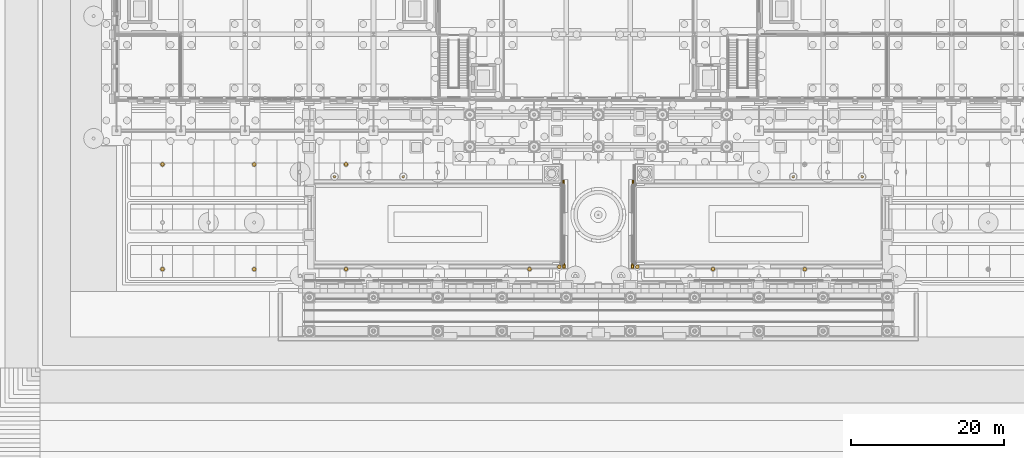
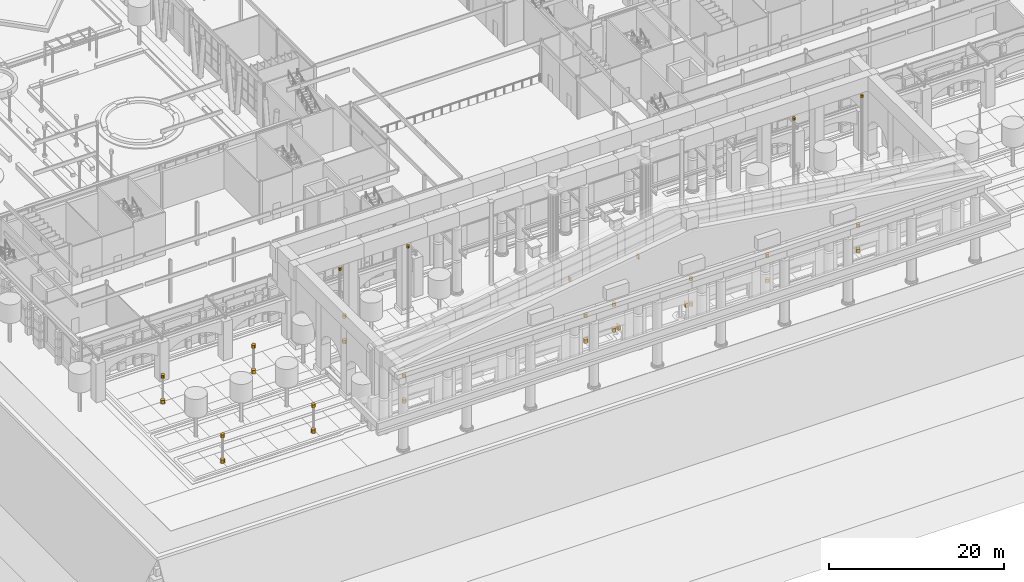
# One storey, part 206 of 222: 30 coverings.
"""IFC4 building model written with IfcOpenShell, lengths in metres."""

from ifc_helpers import new_model, si_unit, direction, frame, origin, origin_2d, place, context, subcontext, project, spatial, polyline, circle, outline, extrude, material, layer, layer_set, type_object, element, save


model = new_model("IFC4")

# Units and contexts
model_context = context("Model", 3, precision=1e-05, world=origin(), true_north=direction((0.0, 1.0)))
body_context = subcontext(model_context, "Body", "Model", "MODEL_VIEW")
ifc_project = project(units=[si_unit("LENGTHUNIT", "METRE"), si_unit("AREAUNIT", "SQUARE_METRE"), si_unit("VOLUMEUNIT", "CUBIC_METRE"), si_unit("PLANEANGLEUNIT", "RADIAN"), si_unit("MASSUNIT", "GRAM", prefix="KILO")], contexts=[model_context])

# Site, building, storey
site_placement = place(None, origin())
site = spatial("IfcSite", under=ifc_project, at=site_placement, CompositionType="ELEMENT")
building_placement = place(site_placement, origin())
building = spatial("IfcBuilding", under=site, at=building_placement, Name="Sava Quay Ferry Terminal", CompositionType="ELEMENT")
storey_placement = place(building_placement, origin())
storey = spatial("IfcBuildingStorey", under=building, at=storey_placement, Name="L00", CompositionType="ELEMENT", Elevation=0.0)

# Coverings
ifc_material_1 = material(Name="Bronze")
ifc_layer_1 = layer(ifc_material_1, 0.35009765625)
ifc_layer_set_1 = layer_set([ifc_layer_1], Name="Bronze")
covering_type_1 = type_object("IfcCoveringType", Name="Flagstaff finial 350", PredefinedType="MOLDING", material=ifc_layer_set_1)
for number, where, z_axis, x_axis, name in (
    (1, (28.5, 15.0, 12.0), (0.0, 0.0, -1.0), (1.0, 0.0, 0.0), "Flagstaff finial"),
    (2, (37.5, 15.0, 12.0), (0.0, 0.0, -1.0), (1.0, 0.0, 0.0), "Flagstaff finial"),
    (3, (88.5, 15.0, 12.0), (0.0, 0.0, -1.0), (1.0, 0.0, 0.0), "Flagstaff finial"),
    (4, (97.5, 15.0, 12.0), (0.0, 0.0, -1.0), (1.0, 0.0, 0.0), "Flagstaff finial"),
):
    element("IfcCovering", number, at=place(storey_placement, frame(where, z_axis=z_axis, x_axis=x_axis)), inside=storey, type_object=covering_type_1, Name=name, PredefinedType="MOLDING", context=body_context, shape_type="SweptSolid", body=[
        extrude(circle(Radius=0.175048828125, at=origin_2d()), origin(), (0.0, 0.0, 1.0), 0.35009765625),
    ])
ifc_material_2 = material(Name="Glass lantern", Category="glass")
ifc_layer_2 = layer(ifc_material_2, 0.449951171875)
ifc_layer_set_2 = layer_set([ifc_layer_2], Name="Glass lantern")
covering_type_2 = type_object("IfcCoveringType", Name="Lamp lantern 450", PredefinedType="CLADDING", material=ifc_layer_set_2)
for number, where, z_axis, x_axis, name in (
    (5, (57.89990234375, 3.199951171875, 4.0), (0.0, 0.0, -1.0), (1.0, 0.0, 0.0), "Lamp lantern"),
    (6, (68.10009765625, 3.199951171875, 4.0), (0.0, 0.0, -1.0), (1.0, 0.0, 0.0), "Lamp lantern"),
    (7, (6.0, 2.89990234375, 4.0), (0.0, 0.0, -1.0), (1.0, 0.0, 0.0), "Lamp lantern"),
    (8, (18.0, 2.89990234375, 4.0), (0.0, 0.0, -1.0), (1.0, 0.0, 0.0), "Lamp lantern"),
    (9, (30.0, 2.89990234375, 4.0), (0.0, 0.0, -1.0), (1.0, 0.0, 0.0), "Lamp lantern"),
    (10, (54.0, 2.89990234375, 4.0), (0.0, 0.0, -1.0), (1.0, 0.0, 0.0), "Lamp lantern"),
    (11, (78.0, 2.89990234375, 4.0), (0.0, 0.0, -1.0), (1.0, 0.0, 0.0), "Lamp lantern"),
    (12, (90.0, 2.89990234375, 4.0), (0.0, 0.0, -1.0), (1.0, 0.0, 0.0), "Lamp lantern"),
    (13, (6.0, 16.60009765625, 4.0), (0.0, 0.0, -1.0), (1.0, 0.0, 0.0), "Lamp lantern"),
    (14, (18.0, 16.60009765625, 4.0), (0.0, 0.0, -1.0), (1.0, 0.0, 0.0), "Lamp lantern"),
    (15, (30.0, 16.60009765625, 4.0), (0.0, 0.0, -1.0), (1.0, 0.0, 0.0), "Lamp lantern"),
):
    element("IfcCovering", number, at=place(storey_placement, frame(where, z_axis=z_axis, x_axis=x_axis)), inside=storey, type_object=covering_type_2, Name=name, PredefinedType="CLADDING", context=body_context, shape_type="SweptSolid", body=[
        extrude(circle(Radius=0.22509765625, at=origin_2d()), origin(), (0.0, 0.0, 1.0), 0.449951171875),
    ])
ifc_material_3 = material(Name="Steel S355", Category="steel")
ifc_layer_3 = layer(ifc_material_3, 0.5)
ifc_layer_set_3 = layer_set([ifc_layer_3], Name="Steel S355")
covering_type_3 = type_object("IfcCoveringType", Name="Lamp standard base 500", PredefinedType="MOLDING", material=ifc_layer_set_3)
for number, where, z_axis, x_axis, name in (
    (16, (57.89990234375, 3.199951171875, 0.5), (0.0, 0.0, -1.0), (1.0, 0.0, 0.0), "Lamp standard base"),
    (17, (68.10009765625, 3.199951171875, 0.5), (0.0, 0.0, -1.0), (1.0, 0.0, 0.0), "Lamp standard base"),
    (18, (6.0, 2.89990234375, 0.5), (0.0, 0.0, -1.0), (1.0, 0.0, 0.0), "Lamp standard base"),
    (19, (18.0, 2.89990234375, 0.5), (0.0, 0.0, -1.0), (1.0, 0.0, 0.0), "Lamp standard base"),
    (20, (30.0, 2.89990234375, 0.5), (0.0, 0.0, -1.0), (1.0, 0.0, 0.0), "Lamp standard base"),
    (21, (54.0, 2.89990234375, 0.5), (0.0, 0.0, -1.0), (1.0, 0.0, 0.0), "Lamp standard base"),
    (22, (78.0, 2.89990234375, 0.5), (0.0, 0.0, -1.0), (1.0, 0.0, 0.0), "Lamp standard base"),
    (23, (90.0, 2.89990234375, 0.5), (0.0, 0.0, -1.0), (1.0, 0.0, 0.0), "Lamp standard base"),
    (24, (6.0, 16.60009765625, 0.5), (0.0, 0.0, -1.0), (1.0, 0.0, 0.0), "Lamp standard base"),
    (25, (18.0, 16.60009765625, 0.5), (0.0, 0.0, -1.0), (1.0, 0.0, 0.0), "Lamp standard base"),
    (26, (30.0, 16.60009765625, 0.5), (0.0, 0.0, -1.0), (1.0, 0.0, 0.0), "Lamp standard base"),
):
    element("IfcCovering", number, at=place(storey_placement, frame(where, z_axis=z_axis, x_axis=x_axis)), inside=storey, type_object=covering_type_3, Name=name, PredefinedType="MOLDING", context=body_context, shape_type="SweptSolid", body=[
        extrude(circle(Radius=0.25, at=origin_2d()), origin(), (0.0, 0.0, 1.0), 0.5),
    ])
ifc_material_4 = material(Name="Limestone Mutalj", Category="masonry")
ifc_layer_4 = layer(ifc_material_4, 0.39990234375)
ifc_layer_set_4 = layer_set([ifc_layer_4], Name="Limestone Mutalj")
covering_type_4 = type_object("IfcCoveringType", Name="Retaining wall 400", PredefinedType="CLADDING", material=ifc_layer_set_4)
covering_1_placement = place(storey_placement, origin())
element("IfcCovering", 27, at=covering_1_placement, inside=storey, type_object=covering_type_4, Name="Retaining wall", PredefinedType="CLADDING", context=body_context, shape_type="SweptSolid", body=[
    extrude(outline(polyline([(58.56005859375, 14.550048828125), (58.3701171875, 14.550048828125), (58.3701171875, 14.14990234375), (58.550048828125, 14.14990234375), (58.550048828125, 14.06591796875), (58.55810546875, 14.113037109375), (58.56005859375, 14.15087890625), (58.56005859375, 14.550048828125)])), origin(), (0.0, 0.0, 1.0), 0.60009765625),
])
covering_2_placement = place(storey_placement, origin())
element("IfcCovering", 28, at=covering_2_placement, inside=storey, type_object=covering_type_4, Name="Retaining wall", PredefinedType="CLADDING", context=body_context, shape_type="SweptSolid", body=[
    extrude(outline(polyline([(58.3701171875, 3.050048828125), (58.694091796875, 3.050048828125), (58.705078125, 3.117919921875), (58.708984375, 3.1689453125), (58.708984375, 3.218994140625), (58.701904296875, 3.31103515625), (58.68701171875, 3.387939453125), (58.677978515625, 3.424072265625), (58.659912109375, 3.47802734375), (58.639892578125, 3.529052734375), (58.611083984375, 3.5859375), (58.5859375, 3.62890625), (58.550048828125, 3.681884765625), (58.550048828125, 3.449951171875), (58.3701171875, 3.449951171875), (58.3701171875, 3.050048828125)])), origin(), (0.0, 0.0, 1.0), 0.60009765625),
])
covering_3_placement = place(storey_placement, origin())
element("IfcCovering", 29, at=covering_3_placement, inside=storey, type_object=covering_type_4, Name="Retaining wall", PredefinedType="CLADDING", context=body_context, shape_type="SweptSolid", body=[
    extrude(outline(polyline([(67.449951171875, 3.449951171875), (67.449951171875, 3.681884765625), (67.4140625, 3.62890625), (67.388916015625, 3.5859375), (67.360107421875, 3.529052734375), (67.340087890625, 3.47802734375), (67.322021484375, 3.424072265625), (67.31396484375, 3.388916015625), (67.298095703125, 3.31103515625), (67.291015625, 3.218994140625), (67.291015625, 3.172119140625), (67.294921875, 3.114013671875), (67.304931640625, 3.050048828125), (67.6298828125, 3.050048828125), (67.6298828125, 3.449951171875), (67.449951171875, 3.449951171875)])), origin(), (0.0, 0.0, 1.0), 0.60009765625),
])
covering_4_placement = place(storey_placement, origin())
element("IfcCovering", 30, at=covering_4_placement, inside=storey, type_object=covering_type_4, Name="Retaining wall", PredefinedType="CLADDING", context=body_context, shape_type="SweptSolid", body=[
    extrude(outline(polyline([(67.6298828125, 14.550048828125), (67.43994140625, 14.550048828125), (67.43994140625, 14.15087890625), (67.44189453125, 14.113037109375), (67.449951171875, 14.06591796875), (67.449951171875, 14.14990234375), (67.6298828125, 14.14990234375), (67.6298828125, 14.550048828125)])), origin(), (0.0, 0.0, 1.0), 0.60009765625),
])

save(model, "model.ifc")
